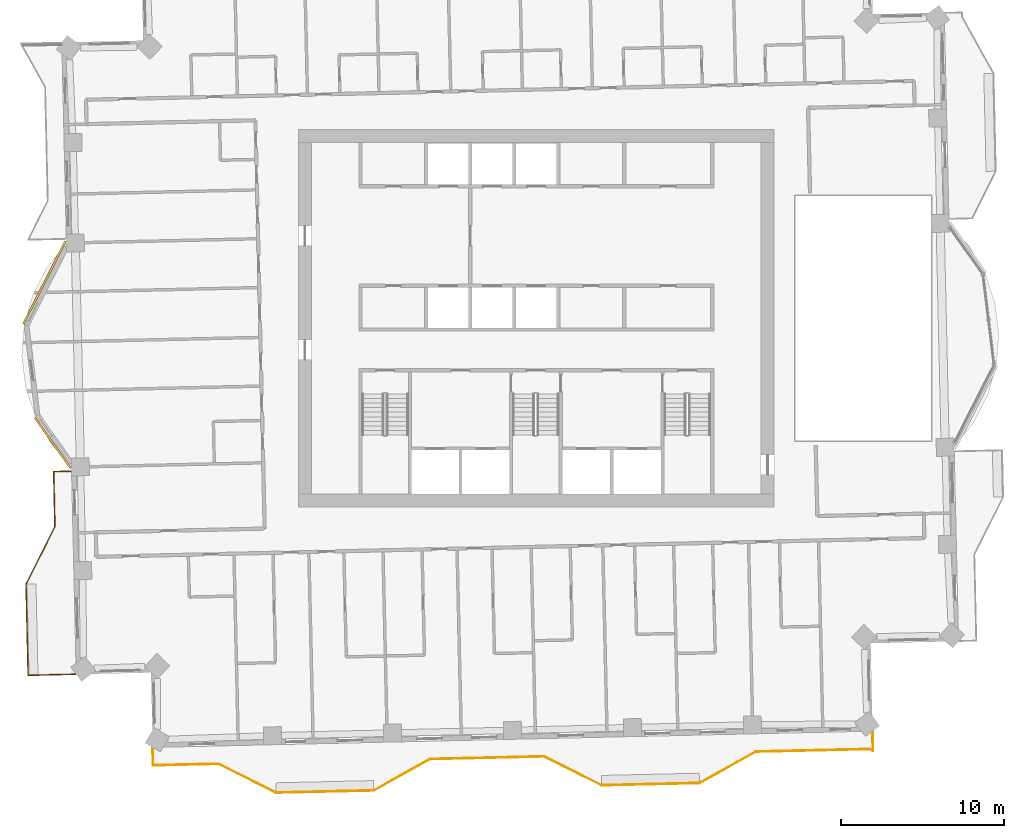
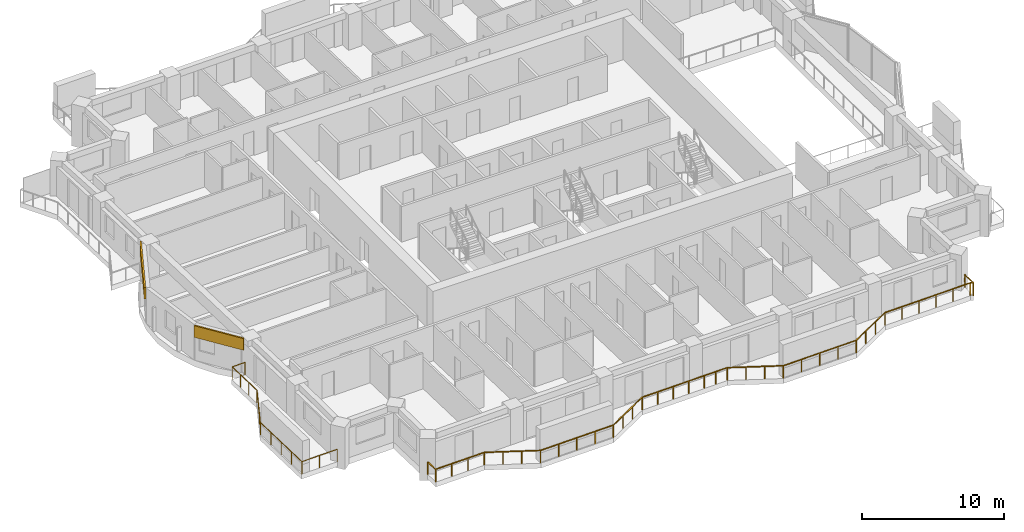
# One storey, part 13 of 16: 2 coverings, 2 railings.
"""IFC4 building model written with IfcOpenShell, lengths in metres."""

from ifc_helpers import new_model, si_unit, direction, frame, frame_2d, origin, origin_2d, place, context, subcontext, project, spatial, rectangle, extrude, material, layer, layer_set, type_object, element, save


model = new_model("IFC4")

# Units and contexts
model_context = context("Model", 3, precision=1e-05, world=origin(), true_north=direction((0.0, 1.0)))
body_context = subcontext(model_context, "Body", "Model", "MODEL_VIEW")
ifc_project = project(units=[si_unit("LENGTHUNIT", "METRE"), si_unit("AREAUNIT", "SQUARE_METRE"), si_unit("VOLUMEUNIT", "CUBIC_METRE"), si_unit("PLANEANGLEUNIT", "RADIAN"), si_unit("MASSUNIT", "GRAM", prefix="KILO")], contexts=[model_context])

# Site, building, storey
site_placement = place(None, origin())
site = spatial("IfcSite", under=ifc_project, at=site_placement, CompositionType="ELEMENT")
building_placement = place(site_placement, origin())
building = spatial("IfcBuilding", under=site, at=building_placement, Name="Mangrove Gate Tower", CompositionType="ELEMENT")
storey_placement = place(building_placement, frame((0.0, 0.0, 231.10009765625)))
storey = spatial("IfcBuildingStorey", under=building, at=storey_placement, Name="L58", CompositionType="ELEMENT", Elevation=231.10009765625)

# Railings
ifc_material_1 = material(Name="Stainless steel grade 316 with laminated glass infill", Category="steel")
railing_type = type_object("IfcRailingType", Name="Balcony guard 1100", PredefinedType="GUARDRAIL", material=ifc_material_1)
railing_1_placement = place(storey_placement, frame((-28.574951171875, -9.388916015625, 0.0)))
element("IfcRailing", 1, at=railing_1_placement, inside=storey, type_object=railing_type, Name="GUARD L58 W2", PredefinedType="GUARDRAIL", context=body_context, shape_type="SweptSolid", body=[
    extrude(rectangle(XDim=0.048095703125, YDim=0.048095703125, at=origin_2d()), frame((0.0, 0.0, 1.076171875), z_axis=(-0.999740168701, -0.022794628443, 0.0), x_axis=(0.022794628443, -0.999740168701, 0.0)), (0.0, 0.0, 1.0), 1.060302734375),
    extrude(rectangle(XDim=0.048095703125, YDim=0.048095703125, at=origin_2d()), frame((-1.06005859375, -0.024169921875, 1.076171875), z_axis=(0.022497922048, -0.999746889719, 0.0), x_axis=(0.999746889719, 0.022497922048, 0.0)), (0.0, 0.0, 1.0), 3.374755859375),
    extrude(rectangle(XDim=0.048095703125, YDim=0.048095703125, at=origin_2d()), frame((-0.984130859375, -3.398193359375, 1.076171875), z_axis=(-0.447139584658, -0.894464192593, 0.0), x_axis=(0.894464192593, -0.447139584658, 0.0)), (0.0, 0.0, 1.0), 3.95849609375),
    extrude(rectangle(XDim=0.048095703125, YDim=0.048095703125, at=origin_2d()), frame((-2.754150390625, -6.93896484375, 1.076171875), z_axis=(0.022711503163, -0.999742060546, 0.0), x_axis=(0.999742060546, 0.022711503163, 0.0)), (0.0, 0.0, 1.0), 5.6005859375),
    extrude(rectangle(XDim=0.048095703125, YDim=0.048095703125, at=origin_2d()), frame((-2.626953125, -12.5380859375, 1.076171875), z_axis=(0.999743521605, 0.022647097142, 0.0), x_axis=(-0.022647097142, 0.999743521605, 0.0)), (0.0, 0.0, 1.0), 2.91064453125),
    extrude(rectangle(XDim=0.0419921875, YDim=0.0419921875, at=origin_2d()), origin(), (0.0, 0.0, 1.0), 1.052001953125),
    extrude(rectangle(XDim=0.0419921875, YDim=0.0419921875, at=origin_2d()), frame((-1.06005859375, -0.024169921875, 0.0)), (0.0, 0.0, 1.0), 1.052001953125),
    extrude(rectangle(XDim=0.0419921875, YDim=0.0419921875, at=origin_2d()), frame((-1.03466796875, -1.14892578125, 0.0)), (0.0, 0.0, 1.0), 1.052001953125),
    extrude(rectangle(XDim=0.0419921875, YDim=0.0419921875, at=origin_2d()), frame((-1.009521484375, -2.2734375, 0.0)), (0.0, 0.0, 1.0), 1.052001953125),
    extrude(rectangle(XDim=0.0419921875, YDim=0.0419921875, at=origin_2d()), frame((-0.984130859375, -3.398193359375, 0.0)), (0.0, 0.0, 1.0), 1.052001953125),
    extrude(rectangle(XDim=0.0419921875, YDim=0.0419921875, at=origin_2d()), frame((-1.57421875, -4.578369140625, 0.0)), (0.0, 0.0, 1.0), 1.052001953125),
    extrude(rectangle(XDim=0.0419921875, YDim=0.0419921875, at=origin_2d()), frame((-2.1640625, -5.7587890625, 0.0)), (0.0, 0.0, 1.0), 1.052001953125),
    extrude(rectangle(XDim=0.0419921875, YDim=0.0419921875, at=origin_2d()), frame((-2.754150390625, -6.93896484375, 0.0)), (0.0, 0.0, 1.0), 1.052001953125),
    extrude(rectangle(XDim=0.0419921875, YDim=0.0419921875, at=origin_2d()), frame((-2.722412109375, -8.3388671875, 0.0)), (0.0, 0.0, 1.0), 1.052001953125),
    extrude(rectangle(XDim=0.0419921875, YDim=0.0419921875, at=origin_2d()), frame((-2.6904296875, -9.738525390625, 0.0)), (0.0, 0.0, 1.0), 1.052001953125),
    extrude(rectangle(XDim=0.0419921875, YDim=0.0419921875, at=origin_2d()), frame((-2.65869140625, -11.13818359375, 0.0)), (0.0, 0.0, 1.0), 1.052001953125),
    extrude(rectangle(XDim=0.0419921875, YDim=0.0419921875, at=origin_2d()), frame((-2.626953125, -12.5380859375, 0.0)), (0.0, 0.0, 1.0), 1.052001953125),
    extrude(rectangle(XDim=0.0419921875, YDim=0.0419921875, at=origin_2d()), frame((-1.171875, -12.505126953125, 0.0)), (0.0, 0.0, 1.0), 1.052001953125),
    extrude(rectangle(XDim=0.0419921875, YDim=0.0419921875, at=origin_2d()), frame((0.282958984375, -12.47216796875, 0.0)), (0.0, 0.0, 1.0), 1.052001953125),
])
railing_2_placement = place(storey_placement, frame((-23.548095703125, -26.39404296875, 0.0)))
element("IfcRailing", 2, at=railing_2_placement, inside=storey, type_object=railing_type, Name="GUARD L58 S1", PredefinedType="GUARDRAIL", context=body_context, shape_type="SweptSolid", body=[
    extrude(rectangle(XDim=0.048095703125, YDim=0.048095703125, at=origin_2d()), frame((0.0, 0.0, 1.076171875), z_axis=(0.022794628443, -0.999740168701, 0.0), x_axis=(0.999740168701, 0.022794628443, 0.0)), (0.0, 0.0, 1.0), 1.060302734375),
    extrude(rectangle(XDim=0.048095703125, YDim=0.048095703125, at=origin_2d()), frame((0.024169921875, -1.06005859375, 1.076171875), z_axis=(0.999741331636, 0.022743566522, 0.0), x_axis=(-0.022743566522, 0.999741331636, 0.0)), (0.0, 0.0, 1.0), 4.00390625),
    extrude(rectangle(XDim=0.048095703125, YDim=0.048095703125, at=origin_2d()), frame((4.027099609375, -0.968994140625, 1.076171875), z_axis=(0.894476522376, -0.447114919141, 0.0), x_axis=(0.447114919141, 0.894476522376, 0.0)), (0.0, 0.0, 1.0), 3.958740234375),
    extrude(rectangle(XDim=0.048095703125, YDim=0.048095703125, at=origin_2d()), frame((7.568115234375, -2.739013671875, 1.076171875), z_axis=(0.999743094499, 0.022665943652, 0.0), x_axis=(-0.022665943652, 0.999743094499, 0.0)), (0.0, 0.0, 1.0), 5.99951171875),
    extrude(rectangle(XDim=0.048095703125, YDim=0.048095703125, at=origin_2d()), frame((13.566162109375, -2.60302734375, 1.076171875), z_axis=(0.87325689943, 0.48726008209, 0.0), x_axis=(-0.48726008209, 0.87325689943, 0.0)), (0.0, 0.0, 1.0), 3.958740234375),
    extrude(rectangle(XDim=0.048095703125, YDim=0.048095703125, at=origin_2d()), frame((17.023193359375, -0.674072265625, 1.076171875), z_axis=(0.999744718868, 0.022594182777, 0.0), x_axis=(-0.022594182777, 0.999744718868, 0.0)), (0.0, 0.0, 1.0), 5.10009765625),
    extrude(rectangle(XDim=0.048095703125, YDim=0.048095703125, at=origin_2d()), frame((22.1220703125, -0.558837890625, 1.076171875), z_axis=(0.999732670567, 0.023121146178, 0.0), x_axis=(-0.023121146178, 0.999732670567, 0.0)), (0.0, 0.0, 1.0), 1.900634765625),
    extrude(rectangle(XDim=0.048095703125, YDim=0.048095703125, at=origin_2d()), frame((24.022216796875, -0.514892578125, 1.076171875), z_axis=(0.894365514875, -0.447336926491, 0.0), x_axis=(0.447336926491, 0.894365514875, 0.0)), (0.0, 0.0, 1.0), 3.958984375),
    extrude(rectangle(XDim=0.048095703125, YDim=0.048095703125, at=origin_2d()), frame((27.56298828125, -2.285888671875, 1.076171875), z_axis=(0.999739392852, 0.022828630714, 0.0), x_axis=(-0.022828630714, 0.999739392852, 0.0)), (0.0, 0.0, 1.0), 5.99951171875),
    extrude(rectangle(XDim=0.048095703125, YDim=0.048095703125, at=origin_2d()), frame((33.56103515625, -2.14892578125, 1.076171875), z_axis=(0.873361856081, 0.487071933437, 0.0), x_axis=(-0.487071933437, 0.873361856081, 0.0)), (0.0, 0.0, 1.0), 3.958251953125),
    extrude(rectangle(XDim=0.048095703125, YDim=0.048095703125, at=origin_2d()), frame((37.01806640625, -0.220947265625, 1.076171875), z_axis=(0.999742195543, 0.022705559911, 0.0), x_axis=(-0.022705559911, 0.999742195543, 0.0)), (0.0, 0.0, 1.0), 6.999755859375),
    extrude(rectangle(XDim=0.048095703125, YDim=0.048095703125, at=origin_2d()), frame((44.01611328125, -0.06201171875, 1.076171875), z_axis=(0.895270190441, -0.445523608922, 0.0), x_axis=(0.445523608922, 0.895270190441, 0.0)), (0.0, 0.0, 1.0), 0.231201171875),
    extrude(rectangle(XDim=0.048095703125, YDim=0.048095703125, at=origin_2d()), frame((44.22314453125, -0.1650390625, 1.076171875), z_axis=(-0.023196098183, 0.999730934316, 0.0), x_axis=(-0.999730934316, -0.023196098183, 0.0)), (0.0, 0.0, 1.0), 1.168212890625),
    extrude(rectangle(XDim=0.0419921875, YDim=0.0419921875, at=origin_2d()), origin(), (0.0, 0.0, 1.0), 1.052001953125),
    extrude(rectangle(XDim=0.0419921875, YDim=0.0419921875, at=origin_2d()), frame((0.024169921875, -1.06005859375, 0.0)), (0.0, 0.0, 1.0), 1.052001953125),
    extrude(rectangle(XDim=0.0419921875, YDim=0.0419921875, at=origin_2d()), frame((1.3583984375, -1.02978515625, 0.0)), (0.0, 0.0, 1.0), 1.052001953125),
    extrude(rectangle(XDim=0.0419921875, YDim=0.0419921875, at=origin_2d()), frame((2.69287109375, -0.999267578125, 0.0)), (0.0, 0.0, 1.0), 1.052001953125),
    extrude(rectangle(XDim=0.0419921875, YDim=0.0419921875, at=origin_2d()), frame((4.027099609375, -0.968994140625, 0.0)), (0.0, 0.0, 1.0), 1.052001953125),
    extrude(rectangle(XDim=0.0419921875, YDim=0.0419921875, at=origin_2d()), frame((5.20751953125, -1.55908203125, 0.0)), (0.0, 0.0, 1.0), 1.052001953125),
    extrude(rectangle(XDim=0.0419921875, YDim=0.0419921875, at=origin_2d()), frame((6.3876953125, -2.14892578125, 0.0)), (0.0, 0.0, 1.0), 1.052001953125),
    extrude(rectangle(XDim=0.0419921875, YDim=0.0419921875, at=origin_2d()), frame((7.568115234375, -2.739013671875, 0.0)), (0.0, 0.0, 1.0), 1.052001953125),
    extrude(rectangle(XDim=0.0419921875, YDim=0.0419921875, at=origin_2d()), frame((9.067626953125, -2.705078125, 0.0)), (0.0, 0.0, 1.0), 1.052001953125),
    extrude(rectangle(XDim=0.0419921875, YDim=0.0419921875, at=origin_2d()), frame((10.567138671875, -2.6708984375, 0.0)), (0.0, 0.0, 1.0), 1.052001953125),
    extrude(rectangle(XDim=0.0419921875, YDim=0.0419921875, at=origin_2d()), frame((12.066650390625, -2.636962890625, 0.0)), (0.0, 0.0, 1.0), 1.052001953125),
    extrude(rectangle(XDim=0.0419921875, YDim=0.0419921875, at=origin_2d()), frame((13.566162109375, -2.60302734375, 0.0)), (0.0, 0.0, 1.0), 1.052001953125),
    extrude(rectangle(XDim=0.0419921875, YDim=0.0419921875, at=origin_2d()), frame((14.718505859375, -1.9599609375, 0.0)), (0.0, 0.0, 1.0), 1.052001953125),
    extrude(rectangle(XDim=0.0419921875, YDim=0.0419921875, at=origin_2d()), frame((15.870849609375, -1.317138671875, 0.0)), (0.0, 0.0, 1.0), 1.052001953125),
    extrude(rectangle(XDim=0.0419921875, YDim=0.0419921875, at=origin_2d()), frame((17.023193359375, -0.674072265625, 0.0)), (0.0, 0.0, 1.0), 1.052001953125),
    extrude(rectangle(XDim=0.0419921875, YDim=0.0419921875, at=origin_2d()), frame((18.2978515625, -0.645263671875, 0.0)), (0.0, 0.0, 1.0), 1.052001953125),
    extrude(rectangle(XDim=0.0419921875, YDim=0.0419921875, at=origin_2d()), frame((19.57275390625, -0.616455078125, 0.0)), (0.0, 0.0, 1.0), 1.052001953125),
    extrude(rectangle(XDim=0.0419921875, YDim=0.0419921875, at=origin_2d()), frame((20.847412109375, -0.587646484375, 0.0)), (0.0, 0.0, 1.0), 1.052001953125),
    extrude(rectangle(XDim=0.0419921875, YDim=0.0419921875, at=origin_2d()), frame((22.1220703125, -0.558837890625, 0.0)), (0.0, 0.0, 1.0), 1.052001953125),
    extrude(rectangle(XDim=0.0419921875, YDim=0.0419921875, at=origin_2d()), frame((23.072265625, -0.536865234375, 0.0)), (0.0, 0.0, 1.0), 1.052001953125),
    extrude(rectangle(XDim=0.0419921875, YDim=0.0419921875, at=origin_2d()), frame((24.022216796875, -0.514892578125, 0.0)), (0.0, 0.0, 1.0), 1.052001953125),
    extrude(rectangle(XDim=0.0419921875, YDim=0.0419921875, at=origin_2d()), frame((25.202392578125, -1.105224609375, 0.0)), (0.0, 0.0, 1.0), 1.052001953125),
    extrude(rectangle(XDim=0.0419921875, YDim=0.0419921875, at=origin_2d()), frame((26.3828125, -1.695556640625, 0.0)), (0.0, 0.0, 1.0), 1.052001953125),
    extrude(rectangle(XDim=0.0419921875, YDim=0.0419921875, at=origin_2d()), frame((27.56298828125, -2.285888671875, 0.0)), (0.0, 0.0, 1.0), 1.052001953125),
    extrude(rectangle(XDim=0.0419921875, YDim=0.0419921875, at=origin_2d()), frame((29.0625, -2.251708984375, 0.0)), (0.0, 0.0, 1.0), 1.052001953125),
    extrude(rectangle(XDim=0.0419921875, YDim=0.0419921875, at=origin_2d()), frame((30.56201171875, -2.21728515625, 0.0)), (0.0, 0.0, 1.0), 1.052001953125),
    extrude(rectangle(XDim=0.0419921875, YDim=0.0419921875, at=origin_2d()), frame((32.0615234375, -2.18310546875, 0.0)), (0.0, 0.0, 1.0), 1.052001953125),
    extrude(rectangle(XDim=0.0419921875, YDim=0.0419921875, at=origin_2d()), frame((33.56103515625, -2.14892578125, 0.0)), (0.0, 0.0, 1.0), 1.052001953125),
    extrude(rectangle(XDim=0.0419921875, YDim=0.0419921875, at=origin_2d()), frame((34.71337890625, -1.50634765625, 0.0)), (0.0, 0.0, 1.0), 1.052001953125),
    extrude(rectangle(XDim=0.0419921875, YDim=0.0419921875, at=origin_2d()), frame((35.86572265625, -0.863525390625, 0.0)), (0.0, 0.0, 1.0), 1.052001953125),
    extrude(rectangle(XDim=0.0419921875, YDim=0.0419921875, at=origin_2d()), frame((37.01806640625, -0.220947265625, 0.0)), (0.0, 0.0, 1.0), 1.052001953125),
    extrude(rectangle(XDim=0.0419921875, YDim=0.0419921875, at=origin_2d()), frame((38.417724609375, -0.189208984375, 0.0)), (0.0, 0.0, 1.0), 1.052001953125),
    extrude(rectangle(XDim=0.0419921875, YDim=0.0419921875, at=origin_2d()), frame((39.8173828125, -0.157470703125, 0.0)), (0.0, 0.0, 1.0), 1.052001953125),
    extrude(rectangle(XDim=0.0419921875, YDim=0.0419921875, at=origin_2d()), frame((41.216796875, -0.12548828125, 0.0)), (0.0, 0.0, 1.0), 1.052001953125),
    extrude(rectangle(XDim=0.0419921875, YDim=0.0419921875, at=origin_2d()), frame((42.616455078125, -0.09375, 0.0)), (0.0, 0.0, 1.0), 1.052001953125),
    extrude(rectangle(XDim=0.0419921875, YDim=0.0419921875, at=origin_2d()), frame((44.01611328125, -0.06201171875, 0.0)), (0.0, 0.0, 1.0), 1.052001953125),
    extrude(rectangle(XDim=0.0419921875, YDim=0.0419921875, at=origin_2d()), frame((44.22314453125, -0.1650390625, 0.0)), (0.0, 0.0, 1.0), 1.052001953125),
    extrude(rectangle(XDim=0.0419921875, YDim=0.0419921875, at=origin_2d()), frame((44.196044921875, 1.0029296875, 0.0)), (0.0, 0.0, 1.0), 1.052001953125),
])

# Coverings
ifc_material_2 = material(Name="Limestone", Category="masonry")
ifc_layer_1 = layer(ifc_material_2, 0.0400390625, Name="Limestone cladding")
ifc_material_3 = material(Name="Stainless steel anchors and cavity", Category="steel")
ifc_layer_2 = layer(ifc_material_3, 0.080078125, Name="Fixing cavity")
ifc_layer_set = layer_set([ifc_layer_1, ifc_layer_2], Name="Joint fascia cladding 120")
covering_type = type_object("IfcCoveringType", Name="Joint fascia cladding 120", PredefinedType="CLADDING", material=ifc_layer_set)
covering_1_placement = place(storey_placement, frame((-28.906494140625, 4.731201171875, 2.0498046875), z_axis=(0.0, 0.0, 1.0), x_axis=(-0.452598640191, -0.891714343777, 0.0)))
element("IfcCovering", 3, at=covering_1_placement, inside=storey, type_object=covering_type, Name="STONE FASCIA L58 W9.L1", PredefinedType="CLADDING", context=body_context, shape_type="SweptSolid", body=[
    extrude(rectangle(XDim=5.703857421875, YDim=0.1201171875, at=frame_2d((2.85205078125, 0.0))), origin(), (0.0, 0.0, 1.0), 1.0),
])
covering_2_placement = place(storey_placement, frame((-30.791015625, -6.10302734375, 2.0498046875), z_axis=(0.0, 0.0, 1.0), x_axis=(0.578168098379, -0.815917673553, 0.0)))
element("IfcCovering", 4, at=covering_2_placement, inside=storey, type_object=covering_type, Name="STONE FASCIA L58 W9.L2", PredefinedType="CLADDING", context=body_context, shape_type="SweptSolid", body=[
    extrude(rectangle(XDim=3.819091796875, YDim=0.1201171875, at=frame_2d((1.90966796875, 0.0))), origin(), (0.0, 0.0, 1.0), 1.0),
])

save(model, "model.ifc")
